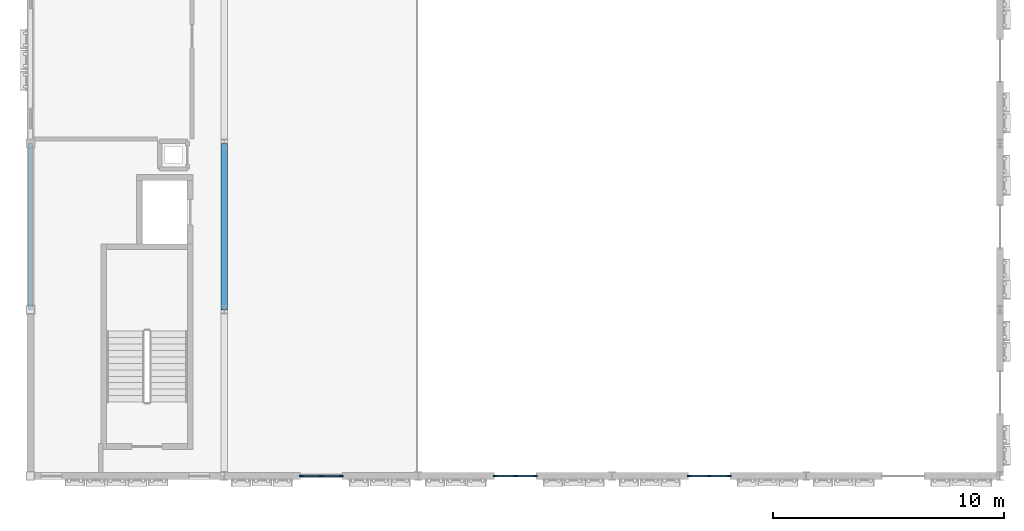
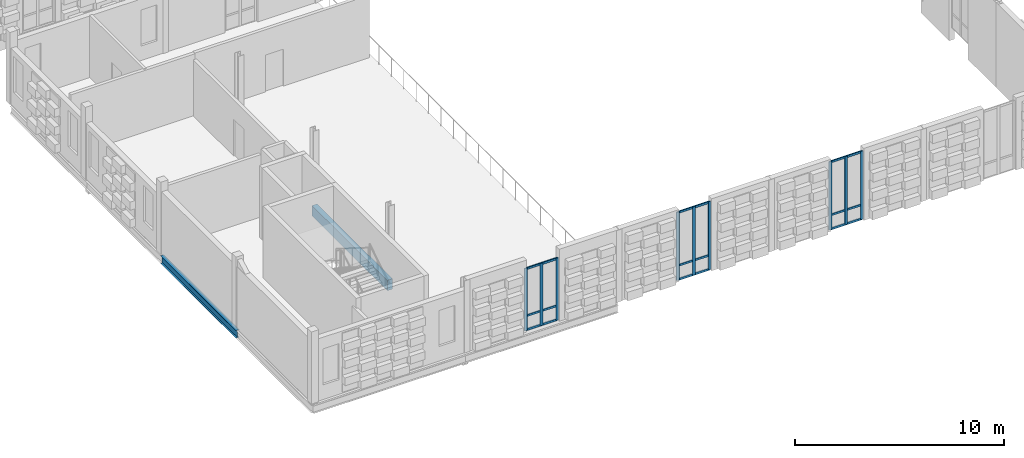
# One storey, part 5 of 81: 18 members, 2 beams, 3 elements without a shape of their own.
"""IFC4 building model written with IfcOpenShell, lengths in metres."""

from ifc_helpers import new_model, si_unit, direction, frame, origin, origin_2d, place, context, subcontext, project, spatial, rectangle, i_section, extrude, material, material_profile, profile_set, type_object, element, aggregate, save


model = new_model("IFC4")

# Units and contexts
model_context = context("Model", 3, precision=1e-05, world=origin(), true_north=direction((0.0, 1.0)))
body_context = subcontext(model_context, "Body", "Model", "MODEL_VIEW")
ifc_project = project(units=[si_unit("LENGTHUNIT", "METRE"), si_unit("AREAUNIT", "SQUARE_METRE"), si_unit("VOLUMEUNIT", "CUBIC_METRE"), si_unit("PLANEANGLEUNIT", "RADIAN"), si_unit("MASSUNIT", "GRAM", prefix="KILO")], contexts=[model_context])

# Site, building, storey
site_placement = place(None, origin())
site = spatial("IfcSite", under=ifc_project, at=site_placement, CompositionType="ELEMENT")
building_placement = place(site_placement, origin())
building = spatial("IfcBuilding", under=site, at=building_placement, Name="Kahlenmark Community Centre", CompositionType="ELEMENT")
storey_placement = place(building_placement, frame((0.0, 0.0, 9.60009765625)))
storey = spatial("IfcBuildingStorey", under=building, at=storey_placement, Name="L02", CompositionType="ELEMENT", Elevation=9.60009765625)

# Beams
ifc_material_1 = material(Name="Glulam GL32h", Category="wood")
ifc_material_profile_1 = material_profile(ifc_material_1, rectangle(XDim=0.280029296875, YDim=0.60009765625, at=origin_2d()), Name="GL32h 280x600")
ifc_profile_set_1 = profile_set([ifc_material_profile_1], Name="Glulam GL32h")
beam_type_1 = type_object("IfcBeamType", Name="BT-BEAM-GL32h280x600", PredefinedType="BEAM", material=ifc_profile_set_1)
beam_1_placement = place(storey_placement, frame((12.39990234375, 16.0, -0.5400390625), z_axis=(0.0, 1.0, 0.0), x_axis=(-1.0, 0.0, 0.0)))
element("IfcBeam", 1, at=beam_1_placement, inside=storey, type_object=beam_type_1, Name="L02 beam BG-GL32h280x600", PredefinedType="BEAM", context=body_context, shape_type="SweptSolid", body=[
    extrude(rectangle(XDim=0.280029296875, YDim=0.60009765625, at=origin_2d()), origin(), (0.0, 0.0, 1.0), 7.199951171875),
])
ifc_material_2 = material(Name="Steel S355", Category="steel")
ifc_material_profile_2 = material_profile(ifc_material_2, i_section(OverallWidth=0.18994140625, OverallDepth=0.449951171875, WebThickness=0.009521484375, FlangeThickness=0.0146484375, at=origin_2d()), Name="IPE 450")
ifc_profile_set_2 = profile_set([ifc_material_profile_2], Name="Steel S355")
beam_type_2 = type_object("IfcBeamType", Name="BT-SPANDREL-IPE450", PredefinedType="SPANDREL", material=ifc_profile_set_2)
beam_2_placement = place(storey_placement, frame((4.0, 16.0, -0.465087890625), z_axis=(0.0, 1.0, 0.0), x_axis=(-1.0, 0.0, 0.0)))
element("IfcBeam", 2, at=beam_2_placement, inside=storey, type_object=beam_type_2, Name="L02 spandrel SP-IPE450", PredefinedType="SPANDREL", context=body_context, shape_type="SweptSolid", body=[
    extrude(i_section(OverallWidth=0.18994140625, OverallDepth=0.449951171875, WebThickness=0.009521484375, FlangeThickness=0.0146484375, at=origin_2d()), origin(), (0.0, 0.0, 1.0), 7.199951171875),
])

# Curtain wall, members
ifc_material_3 = material(Name="Anodised aluminium unitised curtain wall", Category="aluminium")
curtain_wall_type_1 = type_object("IfcCurtainWallType", Name="CWT-UNIT-180X363", PredefinedType="USERDEFINED", material=ifc_material_3)
curtain_wall_1_placement = place(storey_placement, origin())
curtain_wall_1 = element("IfcCurtainWall", 3, at=curtain_wall_1_placement, inside=storey, type_object=curtain_wall_type_1, Name="Unitised curtain wall CW-058", ObjectType="UNITISED CURTAIN WALL", PredefinedType="USERDEFINED")
ifc_material_4 = material(Name="Anodised aluminium 6063-T6", Category="aluminium")
ifc_material_profile_3 = material_profile(ifc_material_4, rectangle(XDim=0.06005859375, YDim=0.159912109375, at=origin_2d()), Name="ALU MULLION 60x160")
ifc_profile_set_3 = profile_set([ifc_material_profile_3], Name="Anodised aluminium 6063-T6")
member_type_1 = type_object("IfcMemberType", Name="MT-MUL-160", PredefinedType="MULLION", material=ifc_profile_set_3)
member_1_placement = place(storey_placement, frame((15.72998046875, 8.800048828125, 0.0), z_axis=(0.0, 0.0, 1.0), x_axis=(0.0, 1.0, 0.0)))
member_1 = element("IfcMember", 4, at=member_1_placement, type_object=member_type_1, Name="CW-058 mullion 1", PredefinedType="MULLION", context=body_context, shape_type="SweptSolid", body=[
    extrude(rectangle(XDim=0.06005859375, YDim=0.159912109375, at=origin_2d()), origin(), (0.0, 0.0, 1.0), 3.6298828125),
])
member_2_placement = place(storey_placement, frame((16.60009765625, 8.800048828125, 0.0), z_axis=(0.0, 0.0, 1.0), x_axis=(0.0, 1.0, 0.0)))
member_2 = element("IfcMember", 5, at=member_2_placement, type_object=member_type_1, Name="CW-058 mullion 2", PredefinedType="MULLION", context=body_context, shape_type="SweptSolid", body=[
    extrude(rectangle(XDim=0.06005859375, YDim=0.159912109375, at=origin_2d()), origin(), (0.0, 0.0, 1.0), 3.6298828125),
])
member_3_placement = place(storey_placement, frame((17.469970703125, 8.800048828125, 0.0), z_axis=(0.0, 0.0, 1.0), x_axis=(0.0, 1.0, 0.0)))
member_3 = element("IfcMember", 6, at=member_3_placement, type_object=member_type_1, Name="CW-058 mullion 3", PredefinedType="MULLION", context=body_context, shape_type="SweptSolid", body=[
    extrude(rectangle(XDim=0.06005859375, YDim=0.159912109375, at=origin_2d()), origin(), (0.0, 0.0, 1.0), 3.6298828125),
])

curtain_wall_type_2 = type_object("IfcCurtainWallType", Name="CWT-UNIT-180X398", PredefinedType="USERDEFINED", material=ifc_material_3)
curtain_wall_2_placement = place(storey_placement, origin())
curtain_wall_2 = element("IfcCurtainWall", 7, at=curtain_wall_2_placement, inside=storey, type_object=curtain_wall_type_2, Name="Unitised curtain wall CW-059", ObjectType="UNITISED CURTAIN WALL", PredefinedType="USERDEFINED")
member_4_placement = place(storey_placement, frame((24.1298828125, 8.800048828125, 0.0), z_axis=(0.0, 0.0, 1.0), x_axis=(0.0, 1.0, 0.0)))
member_4 = element("IfcMember", 8, at=member_4_placement, type_object=member_type_1, Name="CW-059 mullion 1", PredefinedType="MULLION", context=body_context, shape_type="SweptSolid", body=[
    extrude(rectangle(XDim=0.06005859375, YDim=0.159912109375, at=origin_2d()), origin(), (0.0, 0.0, 1.0), 3.97998046875),
])
member_5_placement = place(storey_placement, frame((25.0, 8.800048828125, 0.0), z_axis=(0.0, 0.0, 1.0), x_axis=(0.0, 1.0, 0.0)))
member_5 = element("IfcMember", 9, at=member_5_placement, type_object=member_type_1, Name="CW-059 mullion 2", PredefinedType="MULLION", context=body_context, shape_type="SweptSolid", body=[
    extrude(rectangle(XDim=0.06005859375, YDim=0.159912109375, at=origin_2d()), origin(), (0.0, 0.0, 1.0), 3.97998046875),
])
member_6_placement = place(storey_placement, frame((25.8701171875, 8.800048828125, 0.0), z_axis=(0.0, 0.0, 1.0), x_axis=(0.0, 1.0, 0.0)))
member_6 = element("IfcMember", 10, at=member_6_placement, type_object=member_type_1, Name="CW-059 mullion 3", PredefinedType="MULLION", context=body_context, shape_type="SweptSolid", body=[
    extrude(rectangle(XDim=0.06005859375, YDim=0.159912109375, at=origin_2d()), origin(), (0.0, 0.0, 1.0), 3.97998046875),
])

curtain_wall_3_placement = place(storey_placement, origin())
curtain_wall_3 = element("IfcCurtainWall", 11, at=curtain_wall_3_placement, inside=storey, type_object=curtain_wall_type_2, Name="Unitised curtain wall CW-060", ObjectType="UNITISED CURTAIN WALL", PredefinedType="USERDEFINED")
member_7_placement = place(storey_placement, frame((32.530029296875, 8.800048828125, 0.0), z_axis=(0.0, 0.0, 1.0), x_axis=(0.0, 1.0, 0.0)))
member_7 = element("IfcMember", 12, at=member_7_placement, type_object=member_type_1, Name="CW-060 mullion 1", PredefinedType="MULLION", context=body_context, shape_type="SweptSolid", body=[
    extrude(rectangle(XDim=0.06005859375, YDim=0.159912109375, at=origin_2d()), origin(), (0.0, 0.0, 1.0), 3.97998046875),
])
member_8_placement = place(storey_placement, frame((33.39990234375, 8.800048828125, 0.0), z_axis=(0.0, 0.0, 1.0), x_axis=(0.0, 1.0, 0.0)))
member_8 = element("IfcMember", 13, at=member_8_placement, type_object=member_type_1, Name="CW-060 mullion 2", PredefinedType="MULLION", context=body_context, shape_type="SweptSolid", body=[
    extrude(rectangle(XDim=0.06005859375, YDim=0.159912109375, at=origin_2d()), origin(), (0.0, 0.0, 1.0), 3.97998046875),
])
member_9_placement = place(storey_placement, frame((34.27001953125, 8.800048828125, 0.0), z_axis=(0.0, 0.0, 1.0), x_axis=(0.0, 1.0, 0.0)))
member_9 = element("IfcMember", 14, at=member_9_placement, type_object=member_type_1, Name="CW-060 mullion 3", PredefinedType="MULLION", context=body_context, shape_type="SweptSolid", body=[
    extrude(rectangle(XDim=0.06005859375, YDim=0.159912109375, at=origin_2d()), origin(), (0.0, 0.0, 1.0), 3.97998046875),
])

# Member
ifc_material_profile_4 = material_profile(ifc_material_4, rectangle(XDim=0.06005859375, YDim=0.1201171875, at=origin_2d()), Name="ALU TRANSOM 60x120")
ifc_profile_set_4 = profile_set([ifc_material_profile_4], Name="Anodised aluminium 6063-T6")
member_type_2 = type_object("IfcMemberType", Name="MT-TRN-120", PredefinedType="USERDEFINED", material=ifc_profile_set_4)
member_10_placement = place(storey_placement, frame((15.72998046875, 8.800048828125, 0.039794921875), z_axis=(1.0, 0.0, 0.0), x_axis=(0.0, 1.0, 0.0)))
member_10 = element("IfcMember", 15, at=member_10_placement, type_object=member_type_2, Name="CW-058 transom 1", ObjectType="TRANSOM", PredefinedType="USERDEFINED", context=body_context, shape_type="SweptSolid", body=[
    extrude(rectangle(XDim=0.06005859375, YDim=0.1201171875, at=origin_2d()), origin(), (0.0, 0.0, 1.0), 1.739990234375),
])

member_11_placement = place(storey_placement, frame((15.72998046875, 8.800048828125, 0.849853515625), z_axis=(1.0, 0.0, 0.0), x_axis=(0.0, 1.0, 0.0)))
member_11 = element("IfcMember", 16, at=member_11_placement, type_object=member_type_2, Name="CW-058 transom 2", ObjectType="TRANSOM", PredefinedType="USERDEFINED", context=body_context, shape_type="SweptSolid", body=[
    extrude(rectangle(XDim=0.06005859375, YDim=0.1201171875, at=origin_2d()), origin(), (0.0, 0.0, 1.0), 1.739990234375),
])

member_12_placement = place(storey_placement, frame((15.72998046875, 8.800048828125, 3.58984375), z_axis=(1.0, 0.0, 0.0), x_axis=(0.0, 1.0, 0.0)))
member_12 = element("IfcMember", 17, at=member_12_placement, type_object=member_type_2, Name="CW-058 transom 3", ObjectType="TRANSOM", PredefinedType="USERDEFINED", context=body_context, shape_type="SweptSolid", body=[
    extrude(rectangle(XDim=0.06005859375, YDim=0.1201171875, at=origin_2d()), origin(), (0.0, 0.0, 1.0), 1.739990234375),
])

aggregate(curtain_wall_1, [member_1, member_2, member_3, member_10, member_11, member_12])

member_13_placement = place(storey_placement, frame((24.1298828125, 8.800048828125, 0.039794921875), z_axis=(1.0, 0.0, 0.0), x_axis=(0.0, 1.0, 0.0)))
member_13 = element("IfcMember", 18, at=member_13_placement, type_object=member_type_2, Name="CW-059 transom 1", ObjectType="TRANSOM", PredefinedType="USERDEFINED", context=body_context, shape_type="SweptSolid", body=[
    extrude(rectangle(XDim=0.06005859375, YDim=0.1201171875, at=origin_2d()), origin(), (0.0, 0.0, 1.0), 1.740234375),
])

member_14_placement = place(storey_placement, frame((24.1298828125, 8.800048828125, 0.849853515625), z_axis=(1.0, 0.0, 0.0), x_axis=(0.0, 1.0, 0.0)))
member_14 = element("IfcMember", 19, at=member_14_placement, type_object=member_type_2, Name="CW-059 transom 2", ObjectType="TRANSOM", PredefinedType="USERDEFINED", context=body_context, shape_type="SweptSolid", body=[
    extrude(rectangle(XDim=0.06005859375, YDim=0.1201171875, at=origin_2d()), origin(), (0.0, 0.0, 1.0), 1.740234375),
])

member_15_placement = place(storey_placement, frame((24.1298828125, 8.800048828125, 3.93994140625), z_axis=(1.0, 0.0, 0.0), x_axis=(0.0, 1.0, 0.0)))
member_15 = element("IfcMember", 20, at=member_15_placement, type_object=member_type_2, Name="CW-059 transom 3", ObjectType="TRANSOM", PredefinedType="USERDEFINED", context=body_context, shape_type="SweptSolid", body=[
    extrude(rectangle(XDim=0.06005859375, YDim=0.1201171875, at=origin_2d()), origin(), (0.0, 0.0, 1.0), 1.740234375),
])

aggregate(curtain_wall_2, [member_4, member_5, member_6, member_13, member_14, member_15])

member_16_placement = place(storey_placement, frame((32.530029296875, 8.800048828125, 0.039794921875), z_axis=(1.0, 0.0, 0.0), x_axis=(0.0, 1.0, 0.0)))
member_16 = element("IfcMember", 21, at=member_16_placement, type_object=member_type_2, Name="CW-060 transom 1", ObjectType="TRANSOM", PredefinedType="USERDEFINED", context=body_context, shape_type="SweptSolid", body=[
    extrude(rectangle(XDim=0.06005859375, YDim=0.1201171875, at=origin_2d()), origin(), (0.0, 0.0, 1.0), 1.739990234375),
])

member_17_placement = place(storey_placement, frame((32.530029296875, 8.800048828125, 0.849853515625), z_axis=(1.0, 0.0, 0.0), x_axis=(0.0, 1.0, 0.0)))
member_17 = element("IfcMember", 22, at=member_17_placement, type_object=member_type_2, Name="CW-060 transom 2", ObjectType="TRANSOM", PredefinedType="USERDEFINED", context=body_context, shape_type="SweptSolid", body=[
    extrude(rectangle(XDim=0.06005859375, YDim=0.1201171875, at=origin_2d()), origin(), (0.0, 0.0, 1.0), 1.739990234375),
])

member_18_placement = place(storey_placement, frame((32.530029296875, 8.800048828125, 3.93994140625), z_axis=(1.0, 0.0, 0.0), x_axis=(0.0, 1.0, 0.0)))
member_18 = element("IfcMember", 23, at=member_18_placement, type_object=member_type_2, Name="CW-060 transom 3", ObjectType="TRANSOM", PredefinedType="USERDEFINED", context=body_context, shape_type="SweptSolid", body=[
    extrude(rectangle(XDim=0.06005859375, YDim=0.1201171875, at=origin_2d()), origin(), (0.0, 0.0, 1.0), 1.739990234375),
])

aggregate(curtain_wall_3, [member_7, member_8, member_9, member_16, member_17, member_18])

save(model, "model.ifc")
